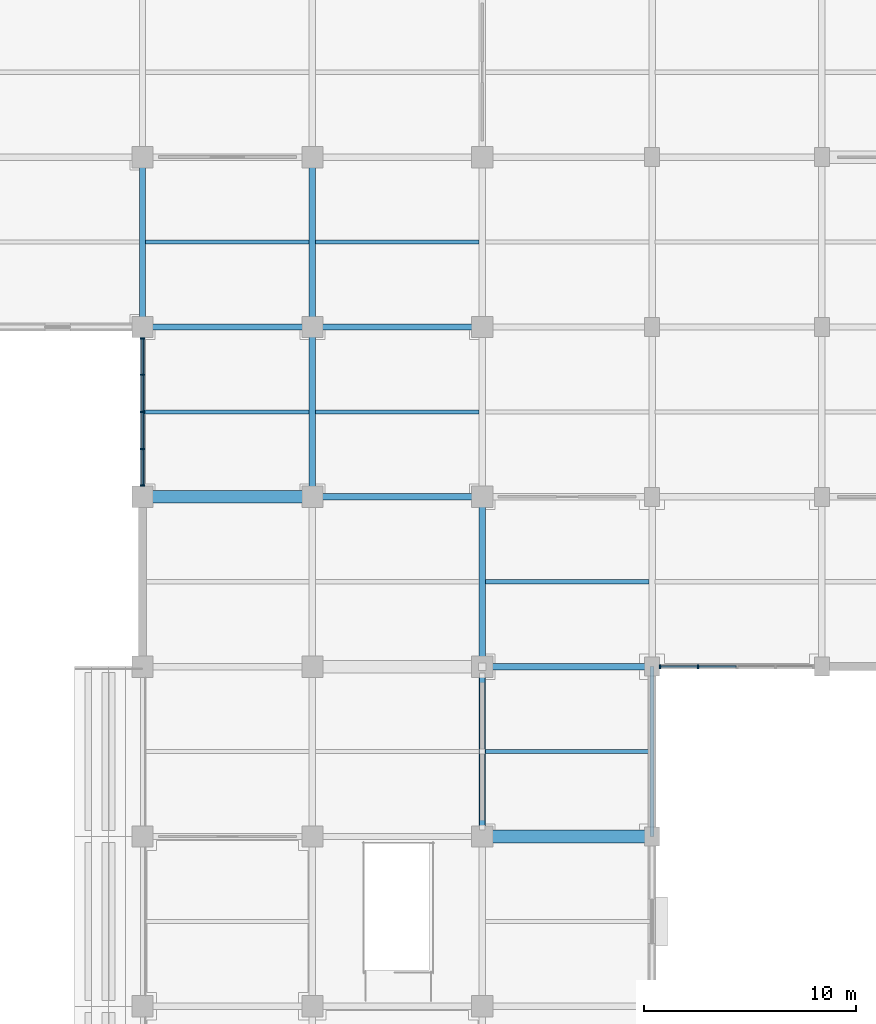
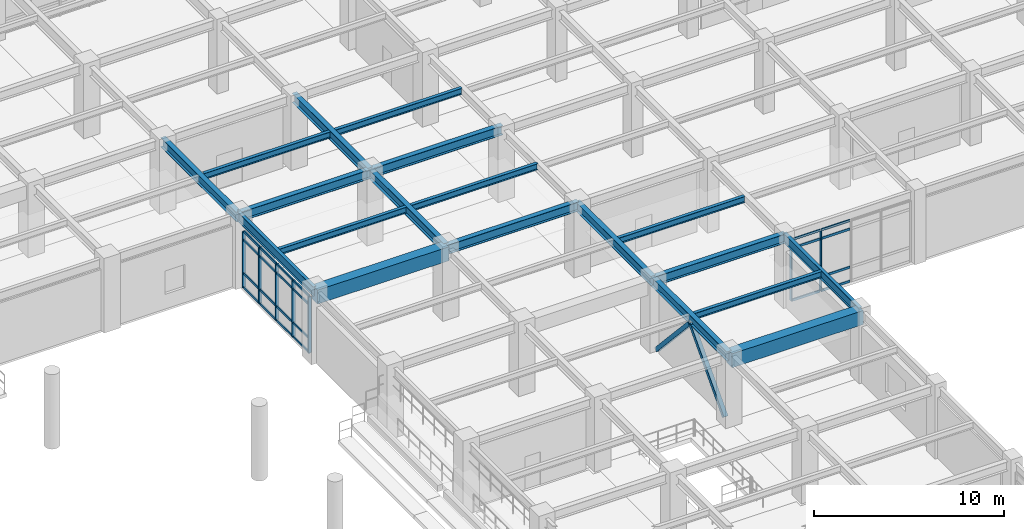
# One storey, part 49 of 117: 33 members, 19 beams, 2 elements without a shape of their own.
"""IFC4 building model written with IfcOpenShell, lengths in metres."""

import ifcopenshell
import ifcopenshell.guid

model = None  # the IFC model being written
_history = None  # IfcOwnerHistory: only IFC2X3 demands one
_inside = {}  # id of a spatial element -> (the spatial element, [elements in it])
_under = {}  # id of a project, library or spatial element -> (it, [spatial elements below it])
_declared = {}  # id of a project -> (the project, [libraries it declares])
_typed = {}  # id of a type object -> (the type object, [elements of that type])
_made_of = {}  # id of a material, layer set ... -> (it, [elements and type objects made of it])


def new_model(schema):
    """Start an empty IFC model of exactly this schema.

    Asked for "IFC4X3", IfcOpenShell would pick the latest addendum, in which some entities
    have other attributes; the version numbers below select the first issue.
    IFC2X3 requires an IfcOwnerHistory on every rooted entity: one is made here for all.
    """
    global model, _history
    if schema == "IFC4X3":
        model = ifcopenshell.file(schema_version=(4, 3, 0, 0))
    else:
        model = ifcopenshell.file(schema=schema)
    _inside.clear()
    _under.clear()
    _declared.clear()
    _typed.clear()
    _made_of.clear()
    _history = None
    if model.schema == "IFC2X3":
        org = make("IfcOrganization", Name="unknown")
        user = make(
            "IfcPersonAndOrganization",
            ThePerson=make("IfcPerson", FamilyName="unknown"),
            TheOrganization=org,
        )
        app = make(
            "IfcApplication",
            ApplicationDeveloper=org,
            Version="unknown",
            ApplicationFullName="unknown",
            ApplicationIdentifier="unknown",
        )
        _history = make(
            "IfcOwnerHistory",
            OwningUser=user,
            OwningApplication=app,
            ChangeAction="ADDED",
            CreationDate=0,
        )
    return model


def make(cls, **values):
    """One entity of the class cls with the attributes given. An attribute that is None is left unset."""
    return model.create_entity(
        cls, **{name: value for name, value in values.items() if value is not None}
    )


def rooted(cls, **values):
    """An entity with a GlobalId (a new one), such as an element, a storey or a relation."""
    return make(cls, GlobalId=ifcopenshell.guid.new(), OwnerHistory=_history, **values)


def si_unit(unit_type, name, prefix=None):
    """IfcSIUnit, for example si_unit("LENGTHUNIT", "METRE", prefix="MILLI")."""
    return make("IfcSIUnit", UnitType=unit_type, Prefix=prefix, Name=name)


def assignment(units):
    """IfcUnitAssignment: the units of a project."""
    return None if units is None else make("IfcUnitAssignment", Units=units)


def point(xyz):
    """IfcCartesianPoint."""
    return None if xyz is None else make("IfcCartesianPoint", Coordinates=xyz)


def direction(xyz):
    """IfcDirection."""
    return None if xyz is None else make("IfcDirection", DirectionRatios=xyz)


def frame(location, z_axis=None, x_axis=None):
    """IfcAxis2Placement3D, a coordinate frame: its origin and axes. An axis left out is left unset."""
    return make(
        "IfcAxis2Placement3D",
        Location=point(location),
        Axis=direction(z_axis),
        RefDirection=direction(x_axis),
    )


def frame_2d(location, x_axis=None):
    """IfcAxis2Placement2D, a coordinate frame in the plane: its origin and x axis."""
    return make(
        "IfcAxis2Placement2D", Location=point(location), RefDirection=direction(x_axis)
    )


def origin():
    """The frame at (0, 0, 0) with its axes left unset."""
    return frame((0.0, 0.0, 0.0))


def origin_2d():
    """The frame at (0, 0) in the plane with its x axis left unset."""
    return frame_2d((0.0, 0.0))


def place(relative_to, where):
    """IfcLocalPlacement: puts the frame where relative to a parent placement (None: the world)."""
    return make(
        "IfcLocalPlacement", PlacementRelTo=relative_to, RelativePlacement=where
    )


def context(
    kind, dimensions, precision=None, world=None, true_north=None, identifier=None
):
    """IfcGeometricRepresentationContext, for example the 3D "Model" context."""
    return make(
        "IfcGeometricRepresentationContext",
        ContextIdentifier=identifier,
        ContextType=kind,
        CoordinateSpaceDimension=dimensions,
        Precision=precision,
        WorldCoordinateSystem=world,
        TrueNorth=true_north,
    )


def subcontext(parent, identifier, kind, view, scale=None):
    """IfcGeometricRepresentationSubContext, for example "Body" below "Model"."""
    return make(
        "IfcGeometricRepresentationSubContext",
        ContextIdentifier=identifier,
        ContextType=kind,
        ParentContext=parent,
        TargetScale=scale,
        TargetView=view,
    )


def project(units=None, contexts=None):
    """IfcProject with its units and contexts."""
    return rooted(
        "IfcProject",
        Name="project",
        RepresentationContexts=contexts,
        UnitsInContext=assignment(units),
    )


def spatial(cls, under=None, at=None, **own):
    """A site, building, storey or space (cls), placed at a placement, below another one or the project."""
    s = rooted(cls, ObjectPlacement=at, **own)
    if under is not None:
        _under.setdefault(under.id(), (under, []))[1].append(s)
    return s


def profile(cls, at=None, kind="AREA", **sizes):
    """A parametric profile (cls). Its sizes go by their IFC names, for example OverallWidth=200.0."""
    return make(cls, ProfileType=kind, Position=at, **sizes)


def rectangle(**sizes):
    """IfcRectangleProfileDef."""
    return profile("IfcRectangleProfileDef", **sizes)


def hollow_rectangle(**sizes):
    """IfcRectangleHollowProfileDef."""
    return profile("IfcRectangleHollowProfileDef", **sizes)


def i_section(**sizes):
    """IfcIShapeProfileDef."""
    return profile("IfcIShapeProfileDef", **sizes)


def extrude(swept, where, along, depth):
    """IfcExtrudedAreaSolid: the profile swept, set in the frame where, extruded along a direction by depth."""
    return make(
        "IfcExtrudedAreaSolid",
        SweptArea=swept,
        Position=where,
        ExtrudedDirection=direction(along),
        Depth=depth,
    )


def shape(context_of_items, identifier, shape_type, items):
    """IfcShapeRepresentation: the items that make up one representation, for example the "Body"."""
    return make(
        "IfcShapeRepresentation",
        ContextOfItems=context_of_items,
        RepresentationIdentifier=identifier,
        RepresentationType=shape_type,
        Items=items,
    )


def material(Name=None, Category=None):
    """IfcMaterial."""
    return make("IfcMaterial", Name=Name, Category=Category)


def layer(
    of_material, thickness, ventilated=None, Name=None, Category=None, Priority=None
):
    """IfcMaterialLayer: one layer of a wall or slab, of a material (None: an air gap)."""
    return make(
        "IfcMaterialLayer",
        Material=of_material,
        LayerThickness=thickness,
        IsVentilated=ventilated,
        Name=Name,
        Category=Category,
        Priority=Priority,
    )


def layer_set(layers, Name=None):
    """IfcMaterialLayerSet."""
    return make("IfcMaterialLayerSet", MaterialLayers=layers, LayerSetName=Name)


def material_profile(
    of_material, cross_section, Name=None, Category=None, Priority=None
):
    """IfcMaterialProfile: a cross section and its material."""
    return make(
        "IfcMaterialProfile",
        Name=Name,
        Material=of_material,
        Profile=cross_section,
        Priority=Priority,
        Category=Category,
    )


def profile_set(profiles, Name=None, composite=None):
    """IfcMaterialProfileSet."""
    return make(
        "IfcMaterialProfileSet",
        Name=Name,
        MaterialProfiles=profiles,
        CompositeProfile=composite,
    )


def made_of(thing, what):
    """Note that an element or type object is made of a material, layer set ...; save() writes the relation."""
    if what is not None:
        _made_of.setdefault(what.id(), (what, []))[1].append(thing)
    return thing


def type_object(cls, material=None, **own):
    """A type object (cls), such as IfcWallType, which elements share."""
    return made_of(rooted(cls, **own), material)


def element(
    cls,
    number,
    at=None,
    inside=None,
    cuts=None,
    type_object=None,
    material=None,
    context=None,
    identifier="Body",
    shape_type=None,
    held_by="IfcProductDefinitionShape",
    body=None,
    shapes=None,
    **own,
):
    """One element of the class cls, such as IfcWall. Its Tag is "e" and its number.

    at: its placement. inside: the storey or other place that contains it. cuts: it is an
    opening in that element (IfcRelVoidsElement). A single representation is given by context,
    identifier, shape_type and body (its items); several are given by shapes. held_by: the class
    of the entity that holds the representations. save() writes the other relations.
    """
    e = rooted(cls, Tag="e%d" % number, ObjectPlacement=at, **own)
    if body is not None:
        shapes = [shape(context, identifier, shape_type, body)]
    if shapes is not None:
        e.Representation = make(held_by, Representations=shapes)
    if inside is not None:
        _inside.setdefault(inside.id(), (inside, []))[1].append(e)
    if cuts is not None:
        rooted(
            "IfcRelVoidsElement", RelatingBuildingElement=cuts, RelatedOpeningElement=e
        )
    if type_object is not None:
        _typed.setdefault(type_object.id(), (type_object, []))[1].append(e)
    return made_of(e, material)


def aggregate(whole, parts):
    """IfcRelAggregates: a whole, such as a stair, and the parts it consists of."""
    return rooted("IfcRelAggregates", RelatingObject=whole, RelatedObjects=parts)


def save(model, path):
    """Write the relations noted so far, then the file.

    IfcRelAggregates (storeys below a building ...), IfcRelContainedInSpatialStructure (elements
    in a storey), IfcRelDefinesByType, IfcRelAssociatesMaterial and IfcRelDeclares: one each for
    every whole, place, type object, material and project.
    """
    for whole, parts in _under.values():
        aggregate(whole, parts)
    for where, things in _inside.values():
        rooted(
            "IfcRelContainedInSpatialStructure",
            RelatedElements=things,
            RelatingStructure=where,
        )
    for kind, things in _typed.values():
        rooted("IfcRelDefinesByType", RelatedObjects=things, RelatingType=kind)
    for what, things in _made_of.values():
        rooted("IfcRelAssociatesMaterial", RelatedObjects=things, RelatingMaterial=what)
    for by, libraries in _declared.values():
        rooted("IfcRelDeclares", RelatingContext=by, RelatedDefinitions=libraries)
    model.write(path)


model = new_model("IFC4")

# Units and contexts
model_context = context("Model", 3, precision=1e-05, world=origin(), true_north=direction((0.0, 1.0)))
body_context = subcontext(model_context, "Body", "Model", "MODEL_VIEW")
ifc_project = project(units=[si_unit("LENGTHUNIT", "METRE"), si_unit("AREAUNIT", "SQUARE_METRE"), si_unit("VOLUMEUNIT", "CUBIC_METRE"), si_unit("PLANEANGLEUNIT", "RADIAN"), si_unit("MASSUNIT", "GRAM", prefix="KILO")], contexts=[model_context])

# Site, building, storey
site_placement = place(None, origin())
site = spatial("IfcSite", under=ifc_project, at=site_placement, CompositionType="ELEMENT")
building_placement = place(site_placement, origin())
building = spatial("IfcBuilding", under=site, at=building_placement, Name="Haebicheon Civic Stadium", CompositionType="ELEMENT")
storey_placement = place(building_placement, frame((0.0, 0.0, 4.800048828125)))
storey = spatial("IfcBuildingStorey", under=building, at=storey_placement, Name="L02", CompositionType="ELEMENT", Elevation=4.800048828125)

# Beams
ifc_material_1 = material(Name="Concrete C40/50", Category="concrete")
ifc_material_profile_1 = material_profile(ifc_material_1, rectangle(XDim=0.60009765625, YDim=0.89990234375, at=origin_2d()), Name="RC-BM-600x900")
ifc_profile_set_1 = profile_set([ifc_material_profile_1], Name="Concrete C40/50")
beam_type_1 = type_object("IfcBeamType", Name="BM-RC-600x900", PredefinedType="BEAM", material=ifc_profile_set_1)
for number, where, z_axis, x_axis, name in (
    (1, (144.0, 144.0, 4.070068359375), (1.0, 0.0, 0.0), (0.0, 1.0, 0.0), "L02 beam U/19-20"),
    (2, (160.0, 128.0, 4.070068359375), (1.0, 0.0, 0.0), (0.0, 1.0, 0.0), "L02 beam S/21-22"),
):
    element("IfcBeam", number, at=place(storey_placement, frame(where, z_axis=z_axis, x_axis=x_axis)), inside=storey, type_object=beam_type_1, material=ifc_profile_set_1, Name=name, PredefinedType="BEAM", context=body_context, shape_type="SweptSolid", body=[
        extrude(rectangle(XDim=0.60009765625, YDim=0.89990234375, at=origin_2d()), origin(), (0.0, 0.0, 1.0), 8.0),
    ])
ifc_material_2 = material(Name="Steel SM355 (S355)", Category="steel")
ifc_material_profile_2 = material_profile(ifc_material_2, i_section(OverallWidth=0.300048828125, OverallDepth=0.60009765625, WebThickness=0.011962890625, FlangeThickness=0.02001953125, at=origin_2d()), Name="H-600x300x12x20")
ifc_profile_set_2 = profile_set([ifc_material_profile_2], Name="Steel SM355 (S355)")
beam_type_2 = type_object("IfcBeamType", Name="BM-ST-H600A", PredefinedType="BEAM", material=ifc_profile_set_2)
for number, where, z_axis, x_axis, name in (
    (3, (144.0, 152.0, 4.219970703125), (0.0, 1.0, 0.0), (-1.0, 0.0, 0.0), "L02 girder 19/V-W"),
    (4, (152.0, 144.0, 4.280029296875), (0.0, 1.0, 0.0), (-1.0, 0.0, 0.0), "L02 girder 20/U-V"),
    (5, (152.0, 152.0, 4.280029296875), (0.0, 1.0, 0.0), (-1.0, 0.0, 0.0), "L02 girder 20/V-W"),
    (6, (160.0, 128.0, 4.219970703125), (0.0, 1.0, 0.0), (-1.0, 0.0, 0.0), "L02 girder 21/S-T"),
    (7, (160.0, 136.0, 4.219970703125), (0.0, 1.0, 0.0), (-1.0, 0.0, 0.0), "L02 girder 21/T-U"),
    (8, (144.0, 152.0, 4.280029296875), (1.0, 0.0, 0.0), (0.0, 1.0, 0.0), "L02 beam V/19-20"),
    (9, (152.0, 144.0, 4.219970703125), (1.0, 0.0, 0.0), (0.0, 1.0, 0.0), "L02 beam U/20-21"),
    (10, (152.0, 152.0, 4.280029296875), (1.0, 0.0, 0.0), (0.0, 1.0, 0.0), "L02 beam V/20-21"),
    (11, (160.0, 136.0, 4.219970703125), (1.0, 0.0, 0.0), (0.0, 1.0, 0.0), "L02 beam T/21-22"),
):
    element("IfcBeam", number, at=place(storey_placement, frame(where, z_axis=z_axis, x_axis=x_axis)), inside=storey, type_object=beam_type_2, material=ifc_profile_set_2, Name=name, PredefinedType="BEAM", context=body_context, shape_type="SweptSolid", body=[
        extrude(i_section(OverallWidth=0.300048828125, OverallDepth=0.60009765625, WebThickness=0.011962890625, FlangeThickness=0.02001953125, at=origin_2d()), origin(), (0.0, 0.0, 1.0), 8.0),
    ])

# Members
ifc_material_3 = material(Name="Steel SM490", Category="steel")
ifc_material_profile_3 = material_profile(ifc_material_3, hollow_rectangle(XDim=0.25, YDim=0.25, WallThickness=0.011962890625, at=origin_2d()), Name="RHS-250x250x12.0")
ifc_profile_set_3 = profile_set([ifc_material_profile_3], Name="Steel SM490")
member_type_1 = type_object("IfcMemberType", Name="BRC-RHS250", PredefinedType="BRACE", material=ifc_profile_set_3)
for number, where, z_axis, x_axis, name in (
    (12, (160.0, 128.419921875, 0.0400390625), (0.0, 0.676254882326, 0.736667723014), (-1.0, 0.0, 0.0), "BR250 chevron brace L02 19-16 A"),
    (13, (160.0, 135.580078125, 0.0400390625), (0.0, -0.676254882326, 0.736667723014), (1.0, 0.0, 0.0), "BR250 chevron brace L02 19-16 B"),
):
    element("IfcMember", number, at=place(storey_placement, frame(where, z_axis=z_axis, x_axis=x_axis)), inside=storey, type_object=member_type_1, material=ifc_profile_set_3, Name=name, PredefinedType="BRACE", context=body_context, shape_type="SweptSolid", body=[
        extrude(hollow_rectangle(XDim=0.25, YDim=0.25, WallThickness=0.011962890625, at=origin_2d()), origin(), (0.0, 0.0, 1.0), 5.2939453125),
    ])

# Curtain wall, members
ifc_material_4 = material(Name="Anodised aluminium and laminated glass", Category="aluminium")
ifc_layer_1 = layer(ifc_material_4, 0.179931640625, Name="Anodised aluminium and laminated glass")
ifc_layer_set_1 = layer_set([ifc_layer_1], Name="Anodised aluminium and laminated glass")
curtain_wall_type_1 = type_object("IfcCurtainWallType", Name="CW-7000x3610", PredefinedType="NOTDEFINED", material=ifc_layer_set_1)
curtain_wall_1_placement = place(storey_placement, origin())
curtain_wall_1 = element("IfcCurtainWall", 14, at=curtain_wall_1_placement, inside=storey, type_object=curtain_wall_type_1, material=ifc_layer_set_1, Name="L02 unitised curtain wall 051", PredefinedType="NOTDEFINED")
ifc_material_5 = material(Name="Anodised aluminium 6063-T6", Category="aluminium")
ifc_material_profile_4 = material_profile(ifc_material_5, rectangle(XDim=0.070068359375, YDim=0.199951171875, at=origin_2d()), Name="ALU-MULL-70x200")
ifc_profile_set_4 = profile_set([ifc_material_profile_4], Name="Anodised aluminium 6063-T6")
member_type_2 = type_object("IfcMemberType", Name="CWM-200x70", PredefinedType="MULLION", material=ifc_profile_set_4)
member_1_placement = place(storey_placement, frame((144.0, 144.534912109375, 0.0), z_axis=(0.0, 0.0, 1.0), x_axis=(0.0, 1.0, 0.0)))
member_1 = element("IfcMember", 15, at=member_1_placement, type_object=member_type_2, material=ifc_profile_set_4, Name="CW-L02-051 vertical mullion 1", PredefinedType="MULLION", context=body_context, shape_type="SweptSolid", body=[
    extrude(rectangle(XDim=0.070068359375, YDim=0.199951171875, at=origin_2d()), origin(), (0.0, 0.0, 1.0), 3.60986328125),
])
member_2_placement = place(storey_placement, frame((144.0, 146.25, 0.0), z_axis=(0.0, 0.0, 1.0), x_axis=(0.0, 1.0, 0.0)))
member_2 = element("IfcMember", 16, at=member_2_placement, type_object=member_type_2, material=ifc_profile_set_4, Name="CW-L02-051 vertical mullion 2", PredefinedType="MULLION", context=body_context, shape_type="SweptSolid", body=[
    extrude(rectangle(XDim=0.070068359375, YDim=0.199951171875, at=origin_2d()), origin(), (0.0, 0.0, 1.0), 3.60986328125),
])
member_3_placement = place(storey_placement, frame((144.0, 148.0, 0.0), z_axis=(0.0, 0.0, 1.0), x_axis=(0.0, 1.0, 0.0)))
member_3 = element("IfcMember", 17, at=member_3_placement, type_object=member_type_2, material=ifc_profile_set_4, Name="CW-L02-051 vertical mullion 3", PredefinedType="MULLION", context=body_context, shape_type="SweptSolid", body=[
    extrude(rectangle(XDim=0.070068359375, YDim=0.199951171875, at=origin_2d()), origin(), (0.0, 0.0, 1.0), 3.60986328125),
])
member_4_placement = place(storey_placement, frame((144.0, 149.75, 0.0), z_axis=(0.0, 0.0, 1.0), x_axis=(0.0, 1.0, 0.0)))
member_4 = element("IfcMember", 18, at=member_4_placement, type_object=member_type_2, material=ifc_profile_set_4, Name="CW-L02-051 vertical mullion 4", PredefinedType="MULLION", context=body_context, shape_type="SweptSolid", body=[
    extrude(rectangle(XDim=0.070068359375, YDim=0.199951171875, at=origin_2d()), origin(), (0.0, 0.0, 1.0), 3.60986328125),
])
member_5_placement = place(storey_placement, frame((144.0, 151.465087890625, 0.0), z_axis=(0.0, 0.0, 1.0), x_axis=(0.0, 1.0, 0.0)))
member_5 = element("IfcMember", 19, at=member_5_placement, type_object=member_type_2, material=ifc_profile_set_4, Name="CW-L02-051 vertical mullion 5", PredefinedType="MULLION", context=body_context, shape_type="SweptSolid", body=[
    extrude(rectangle(XDim=0.070068359375, YDim=0.199951171875, at=origin_2d()), origin(), (0.0, 0.0, 1.0), 3.60986328125),
])

ifc_material_6 = material(Name="Anodised aluminium and laminated glass", Category="aluminium")
ifc_layer_2 = layer(ifc_material_6, 0.179931640625, Name="Anodised aluminium and laminated glass")
ifc_layer_set_2 = layer_set([ifc_layer_2], Name="Anodised aluminium and laminated glass")
curtain_wall_type_2 = type_object("IfcCurtainWallType", Name="CW-7300x3910", PredefinedType="NOTDEFINED", material=ifc_layer_set_2)
curtain_wall_2_placement = place(storey_placement, origin())
curtain_wall_2 = element("IfcCurtainWall", 20, at=curtain_wall_2_placement, inside=storey, type_object=curtain_wall_type_2, material=ifc_layer_set_2, Name="L02 unitised curtain wall 057", PredefinedType="NOTDEFINED")
member_6_placement = place(storey_placement, frame((168.385009765625, 136.0, 0.0), z_axis=(0.0, 0.0, 1.0), x_axis=(1.0, 0.0, 0.0)))
member_6 = element("IfcMember", 21, at=member_6_placement, type_object=member_type_2, material=ifc_profile_set_4, Name="CW-L02-057 vertical mullion 1", PredefinedType="MULLION", context=body_context, shape_type="SweptSolid", body=[
    extrude(rectangle(XDim=0.070068359375, YDim=0.199951171875, at=origin_2d()), origin(), (0.0, 0.0, 1.0), 3.909912109375),
])
member_7_placement = place(storey_placement, frame((170.175048828125, 136.0, 0.0), z_axis=(0.0, 0.0, 1.0), x_axis=(1.0, 0.0, 0.0)))
member_7 = element("IfcMember", 22, at=member_7_placement, type_object=member_type_2, material=ifc_profile_set_4, Name="CW-L02-057 vertical mullion 2", PredefinedType="MULLION", context=body_context, shape_type="SweptSolid", body=[
    extrude(rectangle(XDim=0.070068359375, YDim=0.199951171875, at=origin_2d()), origin(), (0.0, 0.0, 1.0), 3.909912109375),
])

# Member
ifc_material_7 = material(Name="Anodised aluminium 6063-T6", Category="aluminium")
ifc_material_profile_5 = material_profile(ifc_material_7, rectangle(XDim=0.070068359375, YDim=0.14990234375, at=origin_2d()), Name="ALU-TRAN-70x150")
ifc_profile_set_5 = profile_set([ifc_material_profile_5], Name="Anodised aluminium 6063-T6")
member_type_3 = type_object("IfcMemberType", Name="CWT-150x70", PredefinedType="NOTDEFINED", material=ifc_profile_set_5)
member_8_placement = place(storey_placement, frame((144.0, 144.570068359375, 0.0), z_axis=(0.0, 1.0, 0.0), x_axis=(-1.0, 0.0, 0.0)))
member_8 = element("IfcMember", 23, at=member_8_placement, type_object=member_type_3, material=ifc_profile_set_5, Name="CW-L02-051 horizontal transom 1.1", ObjectType="TRANSOM", PredefinedType="USERDEFINED", context=body_context, shape_type="SweptSolid", body=[
    extrude(rectangle(XDim=0.070068359375, YDim=0.14990234375, at=origin_2d()), origin(), (0.0, 0.0, 1.0), 1.64501953125),
])

member_9_placement = place(storey_placement, frame((144.0, 144.570068359375, 0.89990234375), z_axis=(0.0, 1.0, 0.0), x_axis=(-1.0, 0.0, 0.0)))
member_9 = element("IfcMember", 24, at=member_9_placement, type_object=member_type_3, material=ifc_profile_set_5, Name="CW-L02-051 horizontal transom 1.2", ObjectType="TRANSOM", PredefinedType="USERDEFINED", context=body_context, shape_type="SweptSolid", body=[
    extrude(rectangle(XDim=0.070068359375, YDim=0.14990234375, at=origin_2d()), origin(), (0.0, 0.0, 1.0), 1.64501953125),
])

member_10_placement = place(storey_placement, frame((144.0, 144.570068359375, 3.06005859375), z_axis=(0.0, 1.0, 0.0), x_axis=(-1.0, 0.0, 0.0)))
member_10 = element("IfcMember", 25, at=member_10_placement, type_object=member_type_3, material=ifc_profile_set_5, Name="CW-L02-051 horizontal transom 1.3", ObjectType="TRANSOM", PredefinedType="USERDEFINED", context=body_context, shape_type="SweptSolid", body=[
    extrude(rectangle(XDim=0.070068359375, YDim=0.14990234375, at=origin_2d()), origin(), (0.0, 0.0, 1.0), 1.64501953125),
])

member_11_placement = place(storey_placement, frame((144.0, 144.570068359375, 3.60986328125), z_axis=(0.0, 1.0, 0.0), x_axis=(-1.0, 0.0, 0.0)))
member_11 = element("IfcMember", 26, at=member_11_placement, type_object=member_type_3, material=ifc_profile_set_5, Name="CW-L02-051 horizontal transom 1.4", ObjectType="TRANSOM", PredefinedType="USERDEFINED", context=body_context, shape_type="SweptSolid", body=[
    extrude(rectangle(XDim=0.070068359375, YDim=0.14990234375, at=origin_2d()), origin(), (0.0, 0.0, 1.0), 1.64501953125),
])

member_12_placement = place(storey_placement, frame((144.0, 146.284912109375, 0.0), z_axis=(0.0, 1.0, 0.0), x_axis=(-1.0, 0.0, 0.0)))
member_12 = element("IfcMember", 27, at=member_12_placement, type_object=member_type_3, material=ifc_profile_set_5, Name="CW-L02-051 horizontal transom 2.1", ObjectType="TRANSOM", PredefinedType="USERDEFINED", context=body_context, shape_type="SweptSolid", body=[
    extrude(rectangle(XDim=0.070068359375, YDim=0.14990234375, at=origin_2d()), origin(), (0.0, 0.0, 1.0), 1.68017578125),
])

member_13_placement = place(storey_placement, frame((144.0, 146.284912109375, 0.89990234375), z_axis=(0.0, 1.0, 0.0), x_axis=(-1.0, 0.0, 0.0)))
member_13 = element("IfcMember", 28, at=member_13_placement, type_object=member_type_3, material=ifc_profile_set_5, Name="CW-L02-051 horizontal transom 2.2", ObjectType="TRANSOM", PredefinedType="USERDEFINED", context=body_context, shape_type="SweptSolid", body=[
    extrude(rectangle(XDim=0.070068359375, YDim=0.14990234375, at=origin_2d()), origin(), (0.0, 0.0, 1.0), 1.68017578125),
])

member_14_placement = place(storey_placement, frame((144.0, 146.284912109375, 3.06005859375), z_axis=(0.0, 1.0, 0.0), x_axis=(-1.0, 0.0, 0.0)))
member_14 = element("IfcMember", 29, at=member_14_placement, type_object=member_type_3, material=ifc_profile_set_5, Name="CW-L02-051 horizontal transom 2.3", ObjectType="TRANSOM", PredefinedType="USERDEFINED", context=body_context, shape_type="SweptSolid", body=[
    extrude(rectangle(XDim=0.070068359375, YDim=0.14990234375, at=origin_2d()), origin(), (0.0, 0.0, 1.0), 1.68017578125),
])

member_15_placement = place(storey_placement, frame((144.0, 146.284912109375, 3.60986328125), z_axis=(0.0, 1.0, 0.0), x_axis=(-1.0, 0.0, 0.0)))
member_15 = element("IfcMember", 30, at=member_15_placement, type_object=member_type_3, material=ifc_profile_set_5, Name="CW-L02-051 horizontal transom 2.4", ObjectType="TRANSOM", PredefinedType="USERDEFINED", context=body_context, shape_type="SweptSolid", body=[
    extrude(rectangle(XDim=0.070068359375, YDim=0.14990234375, at=origin_2d()), origin(), (0.0, 0.0, 1.0), 1.68017578125),
])

member_16_placement = place(storey_placement, frame((144.0, 148.034912109375, 0.0), z_axis=(0.0, 1.0, 0.0), x_axis=(-1.0, 0.0, 0.0)))
member_16 = element("IfcMember", 31, at=member_16_placement, type_object=member_type_3, material=ifc_profile_set_5, Name="CW-L02-051 horizontal transom 3.1", ObjectType="TRANSOM", PredefinedType="USERDEFINED", context=body_context, shape_type="SweptSolid", body=[
    extrude(rectangle(XDim=0.070068359375, YDim=0.14990234375, at=origin_2d()), origin(), (0.0, 0.0, 1.0), 1.68017578125),
])

member_17_placement = place(storey_placement, frame((144.0, 148.034912109375, 0.89990234375), z_axis=(0.0, 1.0, 0.0), x_axis=(-1.0, 0.0, 0.0)))
member_17 = element("IfcMember", 32, at=member_17_placement, type_object=member_type_3, material=ifc_profile_set_5, Name="CW-L02-051 horizontal transom 3.2", ObjectType="TRANSOM", PredefinedType="USERDEFINED", context=body_context, shape_type="SweptSolid", body=[
    extrude(rectangle(XDim=0.070068359375, YDim=0.14990234375, at=origin_2d()), origin(), (0.0, 0.0, 1.0), 1.68017578125),
])

member_18_placement = place(storey_placement, frame((144.0, 148.034912109375, 3.06005859375), z_axis=(0.0, 1.0, 0.0), x_axis=(-1.0, 0.0, 0.0)))
member_18 = element("IfcMember", 33, at=member_18_placement, type_object=member_type_3, material=ifc_profile_set_5, Name="CW-L02-051 horizontal transom 3.3", ObjectType="TRANSOM", PredefinedType="USERDEFINED", context=body_context, shape_type="SweptSolid", body=[
    extrude(rectangle(XDim=0.070068359375, YDim=0.14990234375, at=origin_2d()), origin(), (0.0, 0.0, 1.0), 1.68017578125),
])

member_19_placement = place(storey_placement, frame((144.0, 148.034912109375, 3.60986328125), z_axis=(0.0, 1.0, 0.0), x_axis=(-1.0, 0.0, 0.0)))
member_19 = element("IfcMember", 34, at=member_19_placement, type_object=member_type_3, material=ifc_profile_set_5, Name="CW-L02-051 horizontal transom 3.4", ObjectType="TRANSOM", PredefinedType="USERDEFINED", context=body_context, shape_type="SweptSolid", body=[
    extrude(rectangle(XDim=0.070068359375, YDim=0.14990234375, at=origin_2d()), origin(), (0.0, 0.0, 1.0), 1.68017578125),
])

member_20_placement = place(storey_placement, frame((144.0, 149.784912109375, 0.0), z_axis=(0.0, 1.0, 0.0), x_axis=(-1.0, 0.0, 0.0)))
member_20 = element("IfcMember", 35, at=member_20_placement, type_object=member_type_3, material=ifc_profile_set_5, Name="CW-L02-051 horizontal transom 4.1", ObjectType="TRANSOM", PredefinedType="USERDEFINED", context=body_context, shape_type="SweptSolid", body=[
    extrude(rectangle(XDim=0.070068359375, YDim=0.14990234375, at=origin_2d()), origin(), (0.0, 0.0, 1.0), 1.64501953125),
])

member_21_placement = place(storey_placement, frame((144.0, 149.784912109375, 0.89990234375), z_axis=(0.0, 1.0, 0.0), x_axis=(-1.0, 0.0, 0.0)))
member_21 = element("IfcMember", 36, at=member_21_placement, type_object=member_type_3, material=ifc_profile_set_5, Name="CW-L02-051 horizontal transom 4.2", ObjectType="TRANSOM", PredefinedType="USERDEFINED", context=body_context, shape_type="SweptSolid", body=[
    extrude(rectangle(XDim=0.070068359375, YDim=0.14990234375, at=origin_2d()), origin(), (0.0, 0.0, 1.0), 1.64501953125),
])

member_22_placement = place(storey_placement, frame((144.0, 149.784912109375, 3.06005859375), z_axis=(0.0, 1.0, 0.0), x_axis=(-1.0, 0.0, 0.0)))
member_22 = element("IfcMember", 37, at=member_22_placement, type_object=member_type_3, material=ifc_profile_set_5, Name="CW-L02-051 horizontal transom 4.3", ObjectType="TRANSOM", PredefinedType="USERDEFINED", context=body_context, shape_type="SweptSolid", body=[
    extrude(rectangle(XDim=0.070068359375, YDim=0.14990234375, at=origin_2d()), origin(), (0.0, 0.0, 1.0), 1.64501953125),
])

member_23_placement = place(storey_placement, frame((144.0, 149.784912109375, 3.60986328125), z_axis=(0.0, 1.0, 0.0), x_axis=(-1.0, 0.0, 0.0)))
member_23 = element("IfcMember", 38, at=member_23_placement, type_object=member_type_3, material=ifc_profile_set_5, Name="CW-L02-051 horizontal transom 4.4", ObjectType="TRANSOM", PredefinedType="USERDEFINED", context=body_context, shape_type="SweptSolid", body=[
    extrude(rectangle(XDim=0.070068359375, YDim=0.14990234375, at=origin_2d()), origin(), (0.0, 0.0, 1.0), 1.64501953125),
])

aggregate(curtain_wall_1, [member_1, member_2, member_3, member_4, member_5, member_8, member_9, member_10, member_11, member_12, member_13, member_14, member_15, member_16, member_17, member_18, member_19, member_20, member_21, member_22, member_23])

member_24_placement = place(storey_placement, frame((168.419921875, 136.0, 0.0), z_axis=(1.0, 0.0, 0.0), x_axis=(0.0, 1.0, 0.0)))
member_24 = element("IfcMember", 39, at=member_24_placement, type_object=member_type_3, material=ifc_profile_set_5, Name="CW-L02-057 horizontal transom 1.1", ObjectType="TRANSOM", PredefinedType="USERDEFINED", context=body_context, shape_type="SweptSolid", body=[
    extrude(rectangle(XDim=0.070068359375, YDim=0.14990234375, at=origin_2d()), origin(), (0.0, 0.0, 1.0), 1.719970703125),
])

member_25_placement = place(storey_placement, frame((168.419921875, 136.0, 0.89990234375), z_axis=(1.0, 0.0, 0.0), x_axis=(0.0, 1.0, 0.0)))
member_25 = element("IfcMember", 40, at=member_25_placement, type_object=member_type_3, material=ifc_profile_set_5, Name="CW-L02-057 horizontal transom 1.2", ObjectType="TRANSOM", PredefinedType="USERDEFINED", context=body_context, shape_type="SweptSolid", body=[
    extrude(rectangle(XDim=0.070068359375, YDim=0.14990234375, at=origin_2d()), origin(), (0.0, 0.0, 1.0), 1.719970703125),
])

member_26_placement = place(storey_placement, frame((168.419921875, 136.0, 3.35986328125), z_axis=(1.0, 0.0, 0.0), x_axis=(0.0, 1.0, 0.0)))
member_26 = element("IfcMember", 41, at=member_26_placement, type_object=member_type_3, material=ifc_profile_set_5, Name="CW-L02-057 horizontal transom 1.3", ObjectType="TRANSOM", PredefinedType="USERDEFINED", context=body_context, shape_type="SweptSolid", body=[
    extrude(rectangle(XDim=0.070068359375, YDim=0.14990234375, at=origin_2d()), origin(), (0.0, 0.0, 1.0), 1.719970703125),
])

member_27_placement = place(storey_placement, frame((168.419921875, 136.0, 3.909912109375), z_axis=(1.0, 0.0, 0.0), x_axis=(0.0, 1.0, 0.0)))
member_27 = element("IfcMember", 42, at=member_27_placement, type_object=member_type_3, material=ifc_profile_set_5, Name="CW-L02-057 horizontal transom 1.4", ObjectType="TRANSOM", PredefinedType="USERDEFINED", context=body_context, shape_type="SweptSolid", body=[
    extrude(rectangle(XDim=0.070068359375, YDim=0.14990234375, at=origin_2d()), origin(), (0.0, 0.0, 1.0), 1.719970703125),
])

member_28_placement = place(storey_placement, frame((170.2099609375, 136.0, 0.0), z_axis=(1.0, 0.0, 0.0), x_axis=(0.0, 1.0, 0.0)))
member_28 = element("IfcMember", 43, at=member_28_placement, type_object=member_type_3, material=ifc_profile_set_5, Name="CW-L02-057 horizontal transom 2.1", ObjectType="TRANSOM", PredefinedType="USERDEFINED", context=body_context, shape_type="SweptSolid", body=[
    extrude(rectangle(XDim=0.070068359375, YDim=0.14990234375, at=origin_2d()), origin(), (0.0, 0.0, 1.0), 1.755126953125),
])

member_29_placement = place(storey_placement, frame((170.2099609375, 136.0, 0.89990234375), z_axis=(1.0, 0.0, 0.0), x_axis=(0.0, 1.0, 0.0)))
member_29 = element("IfcMember", 44, at=member_29_placement, type_object=member_type_3, material=ifc_profile_set_5, Name="CW-L02-057 horizontal transom 2.2", ObjectType="TRANSOM", PredefinedType="USERDEFINED", context=body_context, shape_type="SweptSolid", body=[
    extrude(rectangle(XDim=0.070068359375, YDim=0.14990234375, at=origin_2d()), origin(), (0.0, 0.0, 1.0), 1.755126953125),
])

member_30_placement = place(storey_placement, frame((170.2099609375, 136.0, 3.35986328125), z_axis=(1.0, 0.0, 0.0), x_axis=(0.0, 1.0, 0.0)))
member_30 = element("IfcMember", 45, at=member_30_placement, type_object=member_type_3, material=ifc_profile_set_5, Name="CW-L02-057 horizontal transom 2.3", ObjectType="TRANSOM", PredefinedType="USERDEFINED", context=body_context, shape_type="SweptSolid", body=[
    extrude(rectangle(XDim=0.070068359375, YDim=0.14990234375, at=origin_2d()), origin(), (0.0, 0.0, 1.0), 1.755126953125),
])

member_31_placement = place(storey_placement, frame((170.2099609375, 136.0, 3.909912109375), z_axis=(1.0, 0.0, 0.0), x_axis=(0.0, 1.0, 0.0)))
member_31 = element("IfcMember", 46, at=member_31_placement, type_object=member_type_3, material=ifc_profile_set_5, Name="CW-L02-057 horizontal transom 2.4", ObjectType="TRANSOM", PredefinedType="USERDEFINED", context=body_context, shape_type="SweptSolid", body=[
    extrude(rectangle(XDim=0.070068359375, YDim=0.14990234375, at=origin_2d()), origin(), (0.0, 0.0, 1.0), 1.755126953125),
])

aggregate(curtain_wall_2, [member_6, member_7, member_24, member_25, member_26, member_27, member_28, member_29, member_30, member_31])

# Beams
ifc_material_8 = material(Name="Steel SM355 (S355)", Category="steel")
ifc_material_profile_6 = material_profile(ifc_material_8, i_section(OverallWidth=0.199951171875, OverallDepth=0.39990234375, WebThickness=0.008056640625, FlangeThickness=0.012939453125, at=origin_2d()), Name="H-400x200x8x13")
ifc_profile_set_6 = profile_set([ifc_material_profile_6], Name="Steel SM355 (S355)")
beam_type_3 = type_object("IfcBeamType", Name="JST-ST-H400", PredefinedType="JOIST", material=ifc_profile_set_6)
beam_1_placement = place(storey_placement, frame((144.10009765625, 148.0, 4.3798828125), z_axis=(1.0, 0.0, 0.0), x_axis=(0.0, 1.0, 0.0)))
element("IfcBeam", 47, at=beam_1_placement, inside=storey, type_object=beam_type_3, material=ifc_profile_set_6, Name="L02 secondary joist 18-18", PredefinedType="JOIST", context=body_context, shape_type="SweptSolid", body=[
    extrude(i_section(OverallWidth=0.199951171875, OverallDepth=0.39990234375, WebThickness=0.008056640625, FlangeThickness=0.012939453125, at=origin_2d()), origin(), (0.0, 0.0, 1.0), 7.75),
])
for number, where, z_axis, x_axis, name in (
    (48, (144.14990234375, 156.0, 4.3798828125), (1.0, 0.0, 0.0), (0.0, 1.0, 0.0), "L02 secondary joist 18-19"),
    (49, (152.14990234375, 148.0, 4.3798828125), (1.0, 0.0, 0.0), (0.0, 1.0, 0.0), "L02 secondary joist 19-18"),
    (50, (152.14990234375, 156.0, 4.3798828125), (1.0, 0.0, 0.0), (0.0, 1.0, 0.0), "L02 secondary joist 19-19"),
):
    element("IfcBeam", number, at=place(storey_placement, frame(where, z_axis=z_axis, x_axis=x_axis)), inside=storey, type_object=beam_type_3, material=ifc_profile_set_6, Name=name, PredefinedType="JOIST", context=body_context, shape_type="SweptSolid", body=[
        extrude(i_section(OverallWidth=0.199951171875, OverallDepth=0.39990234375, WebThickness=0.008056640625, FlangeThickness=0.012939453125, at=origin_2d()), origin(), (0.0, 0.0, 1.0), 7.7001953125),
    ])
beam_2_placement = place(storey_placement, frame((160.14990234375, 132.0, 4.320068359375), z_axis=(1.0, 0.0, 0.0), x_axis=(0.0, 1.0, 0.0)))
element("IfcBeam", 51, at=beam_2_placement, inside=storey, type_object=beam_type_3, material=ifc_profile_set_6, Name="L02 secondary joist 20-16", PredefinedType="JOIST", context=body_context, shape_type="SweptSolid", body=[
    extrude(i_section(OverallWidth=0.199951171875, OverallDepth=0.39990234375, WebThickness=0.008056640625, FlangeThickness=0.012939453125, at=origin_2d()), origin(), (0.0, 0.0, 1.0), 7.75),
])
beam_3_placement = place(storey_placement, frame((160.14990234375, 140.0, 4.320068359375), z_axis=(1.0, 0.0, 0.0), x_axis=(0.0, 1.0, 0.0)))
element("IfcBeam", 52, at=beam_3_placement, inside=storey, type_object=beam_type_3, material=ifc_profile_set_6, Name="L02 secondary joist 20-17", PredefinedType="JOIST", context=body_context, shape_type="SweptSolid", body=[
    extrude(i_section(OverallWidth=0.199951171875, OverallDepth=0.39990234375, WebThickness=0.008056640625, FlangeThickness=0.012939453125, at=origin_2d()), origin(), (0.0, 0.0, 1.0), 7.7001953125),
])
ifc_material_9 = material(Name="Steel SM355 (S355)", Category="steel")
ifc_material_profile_7 = material_profile(ifc_material_9, i_section(OverallWidth=0.199951171875, OverallDepth=0.60009765625, WebThickness=0.010986328125, FlangeThickness=0.01708984375, at=origin_2d()), Name="H-600x200x11x17")
ifc_profile_set_7 = profile_set([ifc_material_profile_7], Name="Steel SM355 (S355)")
beam_type_4 = type_object("IfcBeamType", Name="SPD-ST-H600B", PredefinedType="SPANDREL", material=ifc_profile_set_7)
for number, where, z_axis, x_axis, name in (
    (53, (144.0, 144.0, 4.280029296875), (0.0, 1.0, 0.0), (-1.0, 0.0, 0.0), "L02 girder 19/U-V"),
    (54, (168.0, 128.0, 4.219970703125), (0.0, 1.0, 0.0), (-1.0, 0.0, 0.0), "L02 girder 22/S-T"),
):
    element("IfcBeam", number, at=place(storey_placement, frame(where, z_axis=z_axis, x_axis=x_axis)), inside=storey, type_object=beam_type_4, material=ifc_profile_set_7, Name=name, PredefinedType="SPANDREL", context=body_context, shape_type="SweptSolid", body=[
        extrude(i_section(OverallWidth=0.199951171875, OverallDepth=0.60009765625, WebThickness=0.010986328125, FlangeThickness=0.01708984375, at=origin_2d()), origin(), (0.0, 0.0, 1.0), 8.0),
    ])

save(model, "model.ifc")
